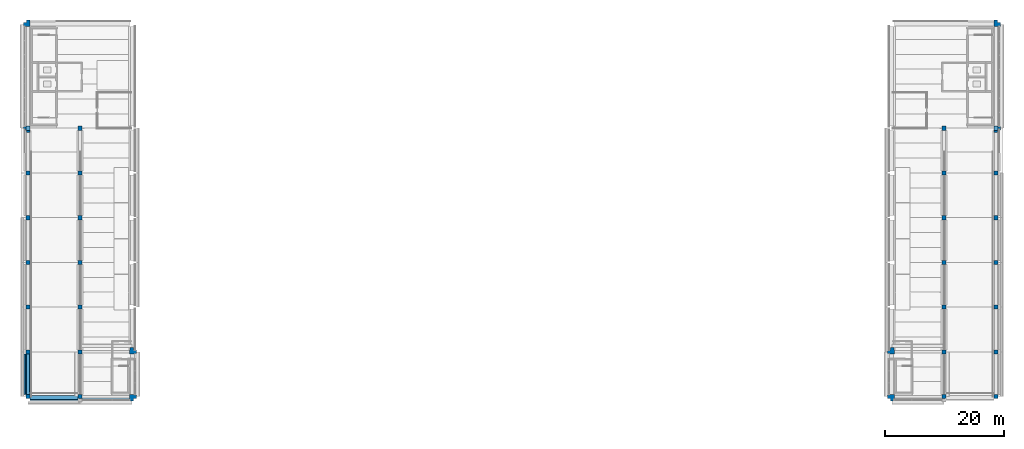
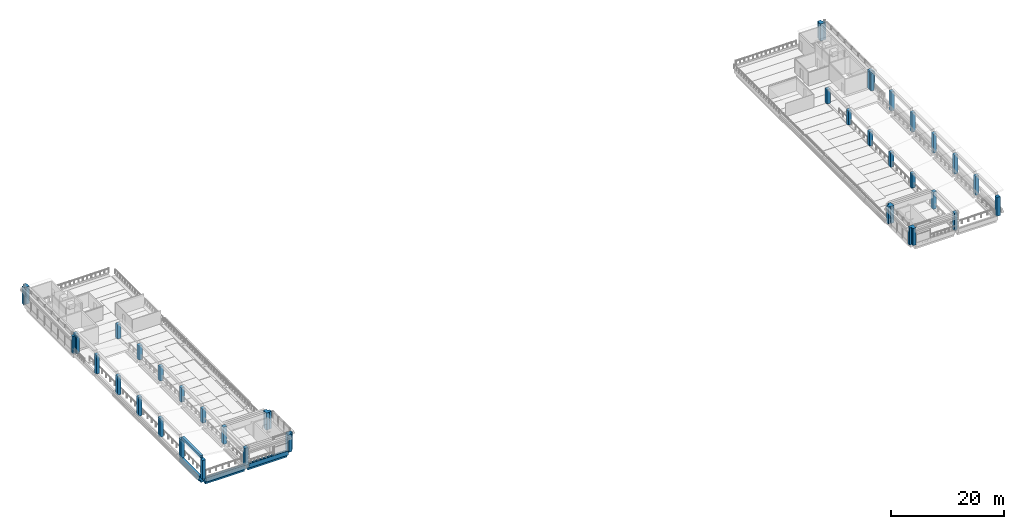
# One storey, part 1 of 17: 36 columns, 4 beams.
"""IFC4 building model written with IfcOpenShell, lengths in metres."""

import ifcopenshell
import ifcopenshell.guid

model = None  # the IFC model being written
_history = None  # IfcOwnerHistory: only IFC2X3 demands one
_inside = {}  # id of a spatial element -> (the spatial element, [elements in it])
_under = {}  # id of a project, library or spatial element -> (it, [spatial elements below it])
_declared = {}  # id of a project -> (the project, [libraries it declares])
_typed = {}  # id of a type object -> (the type object, [elements of that type])
_made_of = {}  # id of a material, layer set ... -> (it, [elements and type objects made of it])


def new_model(schema):
    """Start an empty IFC model of exactly this schema.

    Asked for "IFC4X3", IfcOpenShell would pick the latest addendum, in which some entities
    have other attributes; the version numbers below select the first issue.
    IFC2X3 requires an IfcOwnerHistory on every rooted entity: one is made here for all.
    """
    global model, _history
    if schema == "IFC4X3":
        model = ifcopenshell.file(schema_version=(4, 3, 0, 0))
    else:
        model = ifcopenshell.file(schema=schema)
    _inside.clear()
    _under.clear()
    _declared.clear()
    _typed.clear()
    _made_of.clear()
    _history = None
    if model.schema == "IFC2X3":
        org = make("IfcOrganization", Name="unknown")
        user = make(
            "IfcPersonAndOrganization",
            ThePerson=make("IfcPerson", FamilyName="unknown"),
            TheOrganization=org,
        )
        app = make(
            "IfcApplication",
            ApplicationDeveloper=org,
            Version="unknown",
            ApplicationFullName="unknown",
            ApplicationIdentifier="unknown",
        )
        _history = make(
            "IfcOwnerHistory",
            OwningUser=user,
            OwningApplication=app,
            ChangeAction="ADDED",
            CreationDate=0,
        )
    return model


def make(cls, **values):
    """One entity of the class cls with the attributes given. An attribute that is None is left unset."""
    return model.create_entity(
        cls, **{name: value for name, value in values.items() if value is not None}
    )


def rooted(cls, **values):
    """An entity with a GlobalId (a new one), such as an element, a storey or a relation."""
    return make(cls, GlobalId=ifcopenshell.guid.new(), OwnerHistory=_history, **values)


def si_unit(unit_type, name, prefix=None):
    """IfcSIUnit, for example si_unit("LENGTHUNIT", "METRE", prefix="MILLI")."""
    return make("IfcSIUnit", UnitType=unit_type, Prefix=prefix, Name=name)


def assignment(units):
    """IfcUnitAssignment: the units of a project."""
    return None if units is None else make("IfcUnitAssignment", Units=units)


def point(xyz):
    """IfcCartesianPoint."""
    return None if xyz is None else make("IfcCartesianPoint", Coordinates=xyz)


def direction(xyz):
    """IfcDirection."""
    return None if xyz is None else make("IfcDirection", DirectionRatios=xyz)


def frame(location, z_axis=None, x_axis=None):
    """IfcAxis2Placement3D, a coordinate frame: its origin and axes. An axis left out is left unset."""
    return make(
        "IfcAxis2Placement3D",
        Location=point(location),
        Axis=direction(z_axis),
        RefDirection=direction(x_axis),
    )


def frame_2d(location, x_axis=None):
    """IfcAxis2Placement2D, a coordinate frame in the plane: its origin and x axis."""
    return make(
        "IfcAxis2Placement2D", Location=point(location), RefDirection=direction(x_axis)
    )


def origin():
    """The frame at (0, 0, 0) with its axes left unset."""
    return frame((0.0, 0.0, 0.0))


def origin_2d():
    """The frame at (0, 0) in the plane with its x axis left unset."""
    return frame_2d((0.0, 0.0))


def place(relative_to, where):
    """IfcLocalPlacement: puts the frame where relative to a parent placement (None: the world)."""
    return make(
        "IfcLocalPlacement", PlacementRelTo=relative_to, RelativePlacement=where
    )


def context(
    kind, dimensions, precision=None, world=None, true_north=None, identifier=None
):
    """IfcGeometricRepresentationContext, for example the 3D "Model" context."""
    return make(
        "IfcGeometricRepresentationContext",
        ContextIdentifier=identifier,
        ContextType=kind,
        CoordinateSpaceDimension=dimensions,
        Precision=precision,
        WorldCoordinateSystem=world,
        TrueNorth=true_north,
    )


def subcontext(parent, identifier, kind, view, scale=None):
    """IfcGeometricRepresentationSubContext, for example "Body" below "Model"."""
    return make(
        "IfcGeometricRepresentationSubContext",
        ContextIdentifier=identifier,
        ContextType=kind,
        ParentContext=parent,
        TargetScale=scale,
        TargetView=view,
    )


def project(units=None, contexts=None):
    """IfcProject with its units and contexts."""
    return rooted(
        "IfcProject",
        Name="project",
        RepresentationContexts=contexts,
        UnitsInContext=assignment(units),
    )


def spatial(cls, under=None, at=None, **own):
    """A site, building, storey or space (cls), placed at a placement, below another one or the project."""
    s = rooted(cls, ObjectPlacement=at, **own)
    if under is not None:
        _under.setdefault(under.id(), (under, []))[1].append(s)
    return s


def polyline(points):
    """IfcPolyline through the points."""
    return make("IfcPolyline", Points=[point(p) for p in points])


def profile(cls, at=None, kind="AREA", **sizes):
    """A parametric profile (cls). Its sizes go by their IFC names, for example OverallWidth=200.0."""
    return make(cls, ProfileType=kind, Position=at, **sizes)


def rectangle(**sizes):
    """IfcRectangleProfileDef."""
    return profile("IfcRectangleProfileDef", **sizes)


def outline(outer, holes=None, kind="AREA"):
    """IfcArbitraryClosedProfileDef: a profile drawn as a closed curve; with holes, ...WithVoids."""
    if holes is None:
        return make("IfcArbitraryClosedProfileDef", ProfileType=kind, OuterCurve=outer)
    return make(
        "IfcArbitraryProfileDefWithVoids",
        ProfileType=kind,
        OuterCurve=outer,
        InnerCurves=holes,
    )


def extrude(swept, where, along, depth):
    """IfcExtrudedAreaSolid: the profile swept, set in the frame where, extruded along a direction by depth."""
    return make(
        "IfcExtrudedAreaSolid",
        SweptArea=swept,
        Position=where,
        ExtrudedDirection=direction(along),
        Depth=depth,
    )


def shape(context_of_items, identifier, shape_type, items):
    """IfcShapeRepresentation: the items that make up one representation, for example the "Body"."""
    return make(
        "IfcShapeRepresentation",
        ContextOfItems=context_of_items,
        RepresentationIdentifier=identifier,
        RepresentationType=shape_type,
        Items=items,
    )


def material(Name=None, Category=None):
    """IfcMaterial."""
    return make("IfcMaterial", Name=Name, Category=Category)


def material_profile(
    of_material, cross_section, Name=None, Category=None, Priority=None
):
    """IfcMaterialProfile: a cross section and its material."""
    return make(
        "IfcMaterialProfile",
        Name=Name,
        Material=of_material,
        Profile=cross_section,
        Priority=Priority,
        Category=Category,
    )


def profile_set(profiles, Name=None, composite=None):
    """IfcMaterialProfileSet."""
    return make(
        "IfcMaterialProfileSet",
        Name=Name,
        MaterialProfiles=profiles,
        CompositeProfile=composite,
    )


def made_of(thing, what):
    """Note that an element or type object is made of a material, layer set ...; save() writes the relation."""
    if what is not None:
        _made_of.setdefault(what.id(), (what, []))[1].append(thing)
    return thing


def type_object(cls, material=None, **own):
    """A type object (cls), such as IfcWallType, which elements share."""
    return made_of(rooted(cls, **own), material)


def element(
    cls,
    number,
    at=None,
    inside=None,
    cuts=None,
    type_object=None,
    material=None,
    context=None,
    identifier="Body",
    shape_type=None,
    held_by="IfcProductDefinitionShape",
    body=None,
    shapes=None,
    **own,
):
    """One element of the class cls, such as IfcWall. Its Tag is "e" and its number.

    at: its placement. inside: the storey or other place that contains it. cuts: it is an
    opening in that element (IfcRelVoidsElement). A single representation is given by context,
    identifier, shape_type and body (its items); several are given by shapes. held_by: the class
    of the entity that holds the representations. save() writes the other relations.
    """
    e = rooted(cls, Tag="e%d" % number, ObjectPlacement=at, **own)
    if body is not None:
        shapes = [shape(context, identifier, shape_type, body)]
    if shapes is not None:
        e.Representation = make(held_by, Representations=shapes)
    if inside is not None:
        _inside.setdefault(inside.id(), (inside, []))[1].append(e)
    if cuts is not None:
        rooted(
            "IfcRelVoidsElement", RelatingBuildingElement=cuts, RelatedOpeningElement=e
        )
    if type_object is not None:
        _typed.setdefault(type_object.id(), (type_object, []))[1].append(e)
    return made_of(e, material)


def aggregate(whole, parts):
    """IfcRelAggregates: a whole, such as a stair, and the parts it consists of."""
    return rooted("IfcRelAggregates", RelatingObject=whole, RelatedObjects=parts)


def save(model, path):
    """Write the relations noted so far, then the file.

    IfcRelAggregates (storeys below a building ...), IfcRelContainedInSpatialStructure (elements
    in a storey), IfcRelDefinesByType, IfcRelAssociatesMaterial and IfcRelDeclares: one each for
    every whole, place, type object, material and project.
    """
    for whole, parts in _under.values():
        aggregate(whole, parts)
    for where, things in _inside.values():
        rooted(
            "IfcRelContainedInSpatialStructure",
            RelatedElements=things,
            RelatingStructure=where,
        )
    for kind, things in _typed.values():
        rooted("IfcRelDefinesByType", RelatedObjects=things, RelatingType=kind)
    for what, things in _made_of.values():
        rooted("IfcRelAssociatesMaterial", RelatedObjects=things, RelatingMaterial=what)
    for by, libraries in _declared.values():
        rooted("IfcRelDeclares", RelatingContext=by, RelatedDefinitions=libraries)
    model.write(path)


model = new_model("IFC4")

# Units and contexts
model_context = context("Model", 3, precision=1e-05, world=origin(), true_north=direction((0.0, 1.0)))
body_context = subcontext(model_context, "Body", "Model", "MODEL_VIEW")
ifc_project = project(units=[si_unit("LENGTHUNIT", "METRE"), si_unit("AREAUNIT", "SQUARE_METRE"), si_unit("VOLUMEUNIT", "CUBIC_METRE"), si_unit("PLANEANGLEUNIT", "RADIAN"), si_unit("MASSUNIT", "GRAM", prefix="KILO")], contexts=[model_context])

# Site, building, storey
site_placement = place(None, origin())
site = spatial("IfcSite", under=ifc_project, at=site_placement, CompositionType="ELEMENT")
building_placement = place(site_placement, origin())
building = spatial("IfcBuilding", under=site, at=building_placement, Name="Cour d'Honneur Mobility Palace", CompositionType="ELEMENT")
storey_placement = place(building_placement, frame((0.0, 0.0, 34.10009765625)))
storey = spatial("IfcBuildingStorey", under=building, at=storey_placement, Name="L09", CompositionType="ELEMENT", Elevation=34.10009765625)

# Columns
ifc_material_1 = material(Name="Concrete C50", Category="concrete")
ifc_material_profile_1 = material_profile(ifc_material_1, outline(polyline([(-0.35009765625, -0.35009765625), (0.35009765625, -0.35009765625), (0.35009765625, -0.300048828125), (0.75, -0.300048828125), (0.75, 0.300048828125), (0.35009765625, 0.300048828125), (0.35009765625, 0.35009765625), (0.300048828125, 0.35009765625), (0.300048828125, 0.75), (-0.300048828125, 0.75), (-0.300048828125, 0.35009765625), (-0.35009765625, 0.35009765625), (-0.35009765625, -0.35009765625)])), Name="PC C700 corner")
ifc_profile_set_1 = profile_set([ifc_material_profile_1], Name="Concrete C50")
column_type_1 = type_object("IfcColumnType", Name="Precast Column 700 corner", PredefinedType="COLUMN", material=ifc_profile_set_1)
for number, where, z_axis, x_axis, name in (
    (1, (17.39990234375, 0.0, 0.0), (0.0, 0.0, 1.0), (0.0, -1.0, 0.0), "Precast column C7 2/A L09"),
    (2, (144.89990234375, 0.0, 0.0), (0.0, 0.0, 1.0), (-1.0, 0.0, 0.0), "Precast column C7 19/A L09"),
    (3, (17.39990234375, 7.5, 0.0), (0.0, 0.0, 1.0), (1.0, 0.0, 0.0), "Precast column C7 2/B L09"),
    (4, (144.89990234375, 7.5, 0.0), (0.0, 0.0, 1.0), (0.0, 1.0, 0.0), "Precast column C7 19/B L09"),
    (5, (0.0, 45.0, 0.0), (0.0, 0.0, 1.0), (-1.0, 0.0, 0.0), "Precast column C7 1/G L09"),
    (6, (162.300048828125, 45.0, 0.0), (0.0, 0.0, 1.0), (0.0, -1.0, 0.0), "Precast column C7 20/G L09"),
    (7, (0.0, 62.39990234375, 0.0), (0.0, 0.0, 1.0), (0.0, 1.0, 0.0), "Precast column C7 1/H L09"),
    (8, (162.300048828125, 62.39990234375, 0.0), (0.0, 0.0, 1.0), (1.0, 0.0, 0.0), "Precast column C7 20/H L09"),
):
    element("IfcColumn", number, at=place(storey_placement, frame(where, z_axis=z_axis, x_axis=x_axis)), inside=storey, type_object=column_type_1, Name=name, PredefinedType="COLUMN", context=body_context, shape_type="SweptSolid", body=[
        extrude(outline(polyline([(-0.35009765625, -0.35009765625), (0.35009765625, -0.35009765625), (0.35009765625, -0.300048828125), (0.75, -0.300048828125), (0.75, 0.300048828125), (0.35009765625, 0.300048828125), (0.35009765625, 0.35009765625), (0.300048828125, 0.35009765625), (0.300048828125, 0.75), (-0.300048828125, 0.75), (-0.300048828125, 0.35009765625), (-0.35009765625, 0.35009765625), (-0.35009765625, -0.35009765625)])), origin(), (0.0, 0.0, 1.0), 3.699951171875),
    ])
ifc_material_2 = material(Name="Concrete C50", Category="concrete")
ifc_material_profile_2 = material_profile(ifc_material_2, outline(polyline([(-0.35009765625, -0.35009765625), (0.35009765625, -0.35009765625), (0.35009765625, 0.35009765625), (-0.35009765625, 0.35009765625), (-0.35009765625, -0.35009765625)])), Name="PC C700 plain")
ifc_profile_set_2 = profile_set([ifc_material_profile_2], Name="Concrete C50")
column_type_2 = type_object("IfcColumnType", Name="Precast Column 700 plain", PredefinedType="COLUMN", material=ifc_profile_set_2)
for number, where, z_axis, x_axis, name in (
    (9, (8.699951171875, 0.0, 0.0), (0.0, 0.0, 1.0), (1.0, 0.0, 0.0), "Precast column C8 1A/A L09"),
    (10, (153.60009765625, 0.0, 0.0), (0.0, 0.0, 1.0), (1.0, 0.0, 0.0), "Precast column C8 19A/A L09"),
    (11, (8.699951171875, 7.5, 0.0), (0.0, 0.0, 1.0), (1.0, 0.0, 0.0), "Precast column C8 1A/B L09"),
    (12, (153.60009765625, 7.5, 0.0), (0.0, 0.0, 1.0), (1.0, 0.0, 0.0), "Precast column C8 19A/B L09"),
):
    element("IfcColumn", number, at=place(storey_placement, frame(where, z_axis=z_axis, x_axis=x_axis)), inside=storey, type_object=column_type_2, Name=name, PredefinedType="COLUMN", context=body_context, shape_type="SweptSolid", body=[
        extrude(outline(polyline([(-0.35009765625, -0.35009765625), (0.35009765625, -0.35009765625), (0.35009765625, 0.35009765625), (-0.35009765625, 0.35009765625), (-0.35009765625, -0.35009765625)])), origin(), (0.0, 0.0, 1.0), 3.699951171875),
    ])
ifc_material_3 = material(Name="Concrete C50", Category="concrete")
ifc_material_profile_3 = material_profile(ifc_material_3, rectangle(XDim=0.699951171875, YDim=0.699951171875, at=origin_2d()), Name="Ramp house post 700x700")
ifc_profile_set_3 = profile_set([ifc_material_profile_3], Name="Concrete C50")
column_type_3 = type_object("IfcColumnType", Name="Ramp house post 700x700", PredefinedType="COLUMN", material=ifc_profile_set_3)
for number, where, z_axis, x_axis, name in (
    (13, (0.0, 0.0, 0.0), (0.0, 0.0, 1.0), (1.0, 0.0, 0.0), "Ramp house post RHP-WO1"),
    (14, (0.0, 7.5, 0.0), (0.0, 0.0, 1.0), (1.0, 0.0, 0.0), "Ramp house post RHP-WO2"),
    (15, (0.0, 15.0, 0.0), (0.0, 0.0, 1.0), (1.0, 0.0, 0.0), "Ramp house post RHP-WO3"),
    (16, (0.0, 22.5, 0.0), (0.0, 0.0, 1.0), (1.0, 0.0, 0.0), "Ramp house post RHP-WO4"),
    (17, (0.0, 30.0, 0.0), (0.0, 0.0, 1.0), (1.0, 0.0, 0.0), "Ramp house post RHP-WO5"),
    (18, (0.0, 37.5, 0.0), (0.0, 0.0, 1.0), (1.0, 0.0, 0.0), "Ramp house post RHP-WO6"),
):
    element("IfcColumn", number, at=place(storey_placement, frame(where, z_axis=z_axis, x_axis=x_axis)), inside=storey, type_object=column_type_3, Name=name, PredefinedType="COLUMN", context=body_context, shape_type="SweptSolid", body=[
        extrude(rectangle(XDim=0.699951171875, YDim=0.699951171875, at=origin_2d()), origin(), (0.0, 0.0, 1.0), 4.099853515625),
    ])
column_1_placement = place(storey_placement, frame((0.0, 45.0, 3.699951171875), z_axis=(0.0, 0.0, 1.0), x_axis=(1.0, 0.0, 0.0)))
element("IfcColumn", 19, at=column_1_placement, inside=storey, type_object=column_type_3, Name="Ramp house post RHP-WO7", PredefinedType="COLUMN", context=body_context, shape_type="SweptSolid", body=[
    extrude(rectangle(XDim=0.699951171875, YDim=0.699951171875, at=origin_2d()), origin(), (0.0, 0.0, 1.0), 0.39990234375),
])
for number, where, z_axis, x_axis, name in (
    (20, (8.699951171875, 15.0, 0.0), (0.0, 0.0, 1.0), (1.0, 0.0, 0.0), "Ramp house post RHP-WI3"),
    (21, (8.699951171875, 22.5, 0.0), (0.0, 0.0, 1.0), (1.0, 0.0, 0.0), "Ramp house post RHP-WI4"),
    (22, (8.699951171875, 30.0, 0.0), (0.0, 0.0, 1.0), (1.0, 0.0, 0.0), "Ramp house post RHP-WI5"),
    (23, (8.699951171875, 37.5, 0.0), (0.0, 0.0, 1.0), (1.0, 0.0, 0.0), "Ramp house post RHP-WI6"),
    (24, (8.699951171875, 45.0, 0.0), (0.0, 0.0, 1.0), (1.0, 0.0, 0.0), "Ramp house post RHP-WI7"),
):
    element("IfcColumn", number, at=place(storey_placement, frame(where, z_axis=z_axis, x_axis=x_axis)), inside=storey, type_object=column_type_3, Name=name, PredefinedType="COLUMN", context=body_context, shape_type="SweptSolid", body=[
        extrude(rectangle(XDim=0.699951171875, YDim=0.699951171875, at=origin_2d()), origin(), (0.0, 0.0, 1.0), 3.099853515625),
    ])
for number, where, z_axis, x_axis, name in (
    (25, (162.300048828125, 0.0, 0.0), (0.0, 0.0, 1.0), (1.0, 0.0, 0.0), "Ramp house post RHP-EO1"),
    (26, (162.300048828125, 7.5, 0.0), (0.0, 0.0, 1.0), (1.0, 0.0, 0.0), "Ramp house post RHP-EO2"),
    (27, (162.300048828125, 15.0, 0.0), (0.0, 0.0, 1.0), (1.0, 0.0, 0.0), "Ramp house post RHP-EO3"),
    (28, (162.300048828125, 22.5, 0.0), (0.0, 0.0, 1.0), (1.0, 0.0, 0.0), "Ramp house post RHP-EO4"),
    (29, (162.300048828125, 30.0, 0.0), (0.0, 0.0, 1.0), (1.0, 0.0, 0.0), "Ramp house post RHP-EO5"),
    (30, (162.300048828125, 37.5, 0.0), (0.0, 0.0, 1.0), (1.0, 0.0, 0.0), "Ramp house post RHP-EO6"),
):
    element("IfcColumn", number, at=place(storey_placement, frame(where, z_axis=z_axis, x_axis=x_axis)), inside=storey, type_object=column_type_3, Name=name, PredefinedType="COLUMN", context=body_context, shape_type="SweptSolid", body=[
        extrude(rectangle(XDim=0.699951171875, YDim=0.699951171875, at=origin_2d()), origin(), (0.0, 0.0, 1.0), 4.099853515625),
    ])
column_2_placement = place(storey_placement, frame((162.300048828125, 45.0, 3.699951171875), z_axis=(0.0, 0.0, 1.0), x_axis=(1.0, 0.0, 0.0)))
element("IfcColumn", 31, at=column_2_placement, inside=storey, type_object=column_type_3, Name="Ramp house post RHP-EO7", PredefinedType="COLUMN", context=body_context, shape_type="SweptSolid", body=[
    extrude(rectangle(XDim=0.699951171875, YDim=0.699951171875, at=origin_2d()), origin(), (0.0, 0.0, 1.0), 0.39990234375),
])
for number, where, z_axis, x_axis, name in (
    (32, (153.60009765625, 15.0, 0.0), (0.0, 0.0, 1.0), (1.0, 0.0, 0.0), "Ramp house post RHP-EI3"),
    (33, (153.60009765625, 22.5, 0.0), (0.0, 0.0, 1.0), (1.0, 0.0, 0.0), "Ramp house post RHP-EI4"),
    (34, (153.60009765625, 30.0, 0.0), (0.0, 0.0, 1.0), (1.0, 0.0, 0.0), "Ramp house post RHP-EI5"),
    (35, (153.60009765625, 37.5, 0.0), (0.0, 0.0, 1.0), (1.0, 0.0, 0.0), "Ramp house post RHP-EI6"),
    (36, (153.60009765625, 45.0, 0.0), (0.0, 0.0, 1.0), (1.0, 0.0, 0.0), "Ramp house post RHP-EI7"),
):
    element("IfcColumn", number, at=place(storey_placement, frame(where, z_axis=z_axis, x_axis=x_axis)), inside=storey, type_object=column_type_3, Name=name, PredefinedType="COLUMN", context=body_context, shape_type="SweptSolid", body=[
        extrude(rectangle(XDim=0.699951171875, YDim=0.699951171875, at=origin_2d()), origin(), (0.0, 0.0, 1.0), 3.099853515625),
    ])

# Beams
ifc_material_4 = material(Name="Concrete C45", Category="concrete")
ifc_material_profile_4 = material_profile(ifc_material_4, outline(polyline([(0.22509765625, -1.300048828125), (0.22509765625, 0.0), (-0.22509765625, 0.0), (-0.449951171875, 0.0), (-0.449951171875, 0.300048828125), (-0.64990234375, 0.300048828125), (-0.64990234375, -0.60009765625), (-0.22509765625, -0.60009765625), (-0.22509765625, -1.300048828125), (0.22509765625, -1.300048828125)])), Name="Edge Spandrel Beam 450x1300 no ledge facade right")
ifc_profile_set_4 = profile_set([ifc_material_profile_4], Name="Concrete C45")
beam_type_1 = type_object("IfcBeamType", Name="Edge Spandrel Beam 450x1300 no ledge facade right", PredefinedType="SPANDREL", material=ifc_profile_set_4)
for number, where, z_axis, x_axis, name in (
    (37, (0.35009765625, 0.0, 0.0), (1.0, 0.0, 0.0), (0.0, 1.0, 0.0), "Precast beam B1 1-1A L09"),
    (38, (9.050048828125, 0.0, 0.0), (1.0, 0.0, 0.0), (0.0, 1.0, 0.0), "Precast beam B1 1A-2 L09"),
):
    element("IfcBeam", number, at=place(storey_placement, frame(where, z_axis=z_axis, x_axis=x_axis)), inside=storey, type_object=beam_type_1, Name=name, PredefinedType="SPANDREL", context=body_context, shape_type="SweptSolid", body=[
        extrude(outline(polyline([(0.22509765625, -1.300048828125), (0.22509765625, 0.0), (-0.22509765625, 0.0), (-0.449951171875, 0.0), (-0.449951171875, 0.300048828125), (-0.64990234375, 0.300048828125), (-0.64990234375, -0.60009765625), (-0.22509765625, -0.60009765625), (-0.22509765625, -1.300048828125), (0.22509765625, -1.300048828125)])), origin(), (0.0, 0.0, 1.0), 8.0),
    ])
ifc_material_5 = material(Name="Concrete C45", Category="concrete")
ifc_material_profile_5 = material_profile(ifc_material_5, outline(polyline([(0.199951171875, -1.10009765625), (0.199951171875, -0.60009765625), (0.64990234375, -0.60009765625), (0.64990234375, 0.300048828125), (0.449951171875, 0.300048828125), (0.449951171875, 0.0), (0.199951171875, 0.0), (-0.199951171875, 0.0), (-0.199951171875, -0.800048828125), (-0.5, -0.800048828125), (-0.5, -1.10009765625), (0.199951171875, -1.10009765625)])), Name="Ledger Beam 400x1100 ledge right 300 facade left")
ifc_profile_set_5 = profile_set([ifc_material_profile_5], Name="Concrete C45")
beam_type_2 = type_object("IfcBeamType", Name="Ledger Beam 400x1100 ledge right 300 facade left", PredefinedType="BEAM", material=ifc_profile_set_5)
beam_1_placement = place(storey_placement, frame((0.0, 0.35009765625, 0.0), z_axis=(0.0, 1.0, 0.0), x_axis=(-1.0, 0.0, 0.0)))
element("IfcBeam", 39, at=beam_1_placement, inside=storey, type_object=beam_type_2, Name="Precast beam B6 A-B L09", PredefinedType="BEAM", context=body_context, shape_type="SweptSolid", body=[
    extrude(outline(polyline([(0.199951171875, -1.10009765625), (0.199951171875, -0.60009765625), (0.64990234375, -0.60009765625), (0.64990234375, 0.300048828125), (0.449951171875, 0.300048828125), (0.449951171875, 0.0), (0.199951171875, 0.0), (-0.199951171875, 0.0), (-0.199951171875, -0.800048828125), (-0.5, -0.800048828125), (-0.5, -1.10009765625), (0.199951171875, -1.10009765625)])), origin(), (0.0, 0.0, 1.0), 6.7998046875),
])
ifc_material_6 = material(Name="Concrete C50", Category="concrete")
ifc_material_profile_6 = material_profile(ifc_material_6, rectangle(XDim=0.5, YDim=0.60009765625, at=origin_2d()), Name="Ramp house roof beam 500x600")
ifc_profile_set_6 = profile_set([ifc_material_profile_6], Name="Concrete C50")
beam_type_3 = type_object("IfcBeamType", Name="Ramp house roof beam 500x600", PredefinedType="BEAM", material=ifc_profile_set_6)
beam_2_placement = place(storey_placement, frame((0.0, 0.35009765625, 4.39990234375), z_axis=(0.0, 1.0, 0.0), x_axis=(-1.0, 0.0, 0.0)))
element("IfcBeam", 40, at=beam_2_placement, inside=storey, type_object=beam_type_3, Name="Ramp house roof beam RHB-WO1", PredefinedType="BEAM", context=body_context, shape_type="SweptSolid", body=[
    extrude(rectangle(XDim=0.5, YDim=0.60009765625, at=origin_2d()), origin(), (0.0, 0.0, 1.0), 6.7998046875),
])

save(model, "model.ifc")
